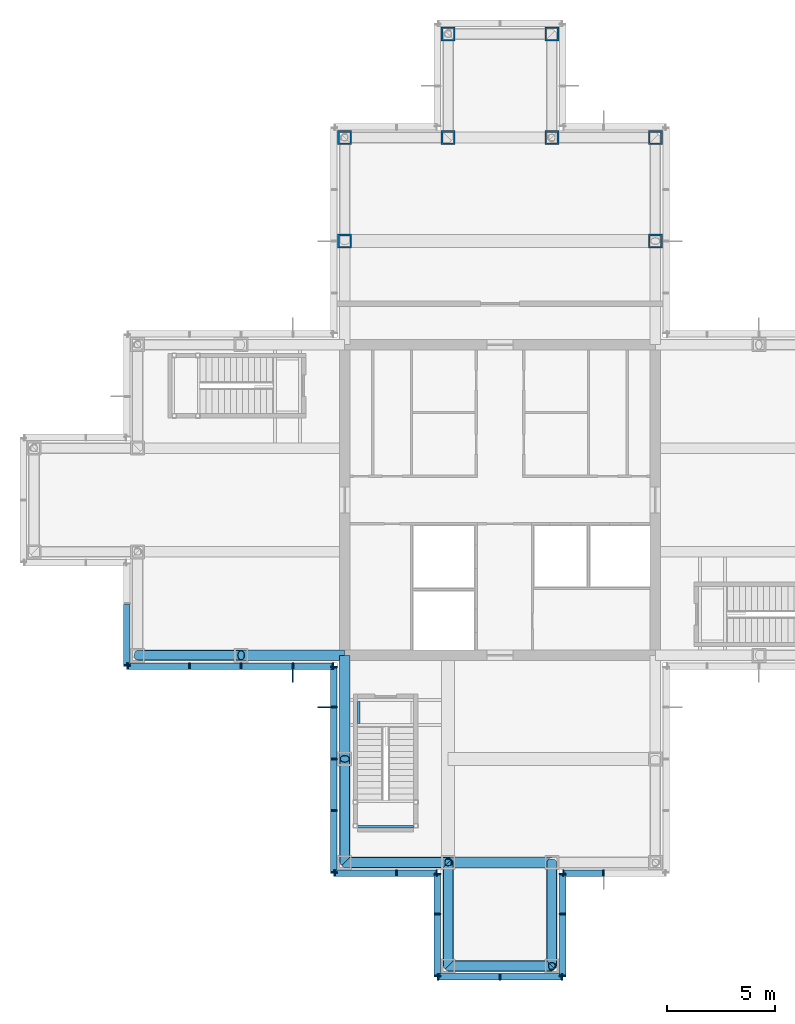
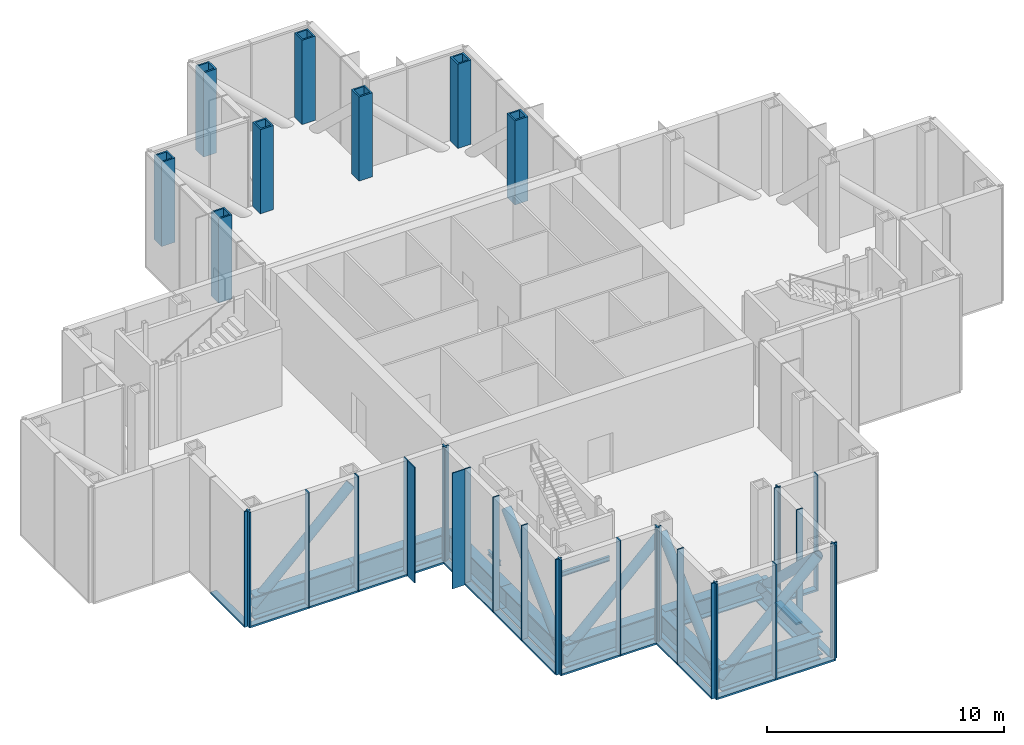
# One storey, part 5 of 13: 51 members, 11 beams, 8 columns, 8 elements without a shape of their own.
"""IFC4 building model written with IfcOpenShell, lengths in metres."""

from ifc_helpers import new_model, si_unit, direction, frame, origin, origin_2d, place, context, subcontext, project, spatial, rectangle, hollow_rectangle, hollow_circle, i_section, extrude, material, material_profile, profile_set, type_object, element, aggregate, save


model = new_model("IFC4")

# Units and contexts
model_context = context("Model", 3, precision=1e-05, world=origin(), true_north=direction((0.0, 1.0)))
body_context = subcontext(model_context, "Body", "Model", "MODEL_VIEW")
ifc_project = project(units=[si_unit("LENGTHUNIT", "METRE"), si_unit("AREAUNIT", "SQUARE_METRE"), si_unit("VOLUMEUNIT", "CUBIC_METRE"), si_unit("PLANEANGLEUNIT", "RADIAN"), si_unit("MASSUNIT", "GRAM", prefix="KILO")], contexts=[model_context])

# Site, building, storey
site_placement = place(None, origin())
site = spatial("IfcSite", under=ifc_project, at=site_placement, CompositionType="ELEMENT")
building_placement = place(site_placement, origin())
building = spatial("IfcBuilding", under=site, at=building_placement, Name="Kvirike Care Tower", CompositionType="ELEMENT")
storey_placement = place(building_placement, frame((0.0, 0.0, 190.0)))
storey = spatial("IfcBuildingStorey", under=building, at=storey_placement, Name="L52", CompositionType="ELEMENT", Elevation=190.0)

# Columns
ifc_material_1 = material(Name="Steel S460", Category="steel")
ifc_material_profile_1 = material_profile(ifc_material_1, hollow_rectangle(XDim=0.64990234375, YDim=0.64990234375, WallThickness=0.080078125, at=origin_2d()), Name="BX 650x650x80")
ifc_profile_set_1 = profile_set([ifc_material_profile_1], Name="Steel S460")
column_type = type_object("IfcColumnType", Name="COLUMN BX 650x650x80", PredefinedType="COLUMN", material=ifc_profile_set_1)
for number, where, z_axis, x_axis, name in (
    (1, (14.39990234375, 48.0, 0.0), (0.0, 0.0, 1.0), (1.0, 0.0, 0.0), "Column L6 L52"),
    (2, (14.39990234375, 52.800048828125, 0.0), (0.0, 0.0, 1.0), (0.0, 1.0, 0.0), "Column M6 L52"),
    (3, (19.199951171875, 52.800048828125, 0.0), (0.0, 0.0, 1.0), (0.0, 1.0, 0.0), "Column M7 L52"),
    (4, (19.199951171875, 57.60009765625, 0.0), (0.0, 0.0, 1.0), (0.0, 1.0, 0.0), "Column N7 L52"),
    (5, (24.0, 52.800048828125, 0.0), (0.0, 0.0, 1.0), (0.0, 1.0, 0.0), "Column M8 L52"),
    (6, (24.0, 57.60009765625, 0.0), (0.0, 0.0, 1.0), (0.0, 1.0, 0.0), "Column N8 L52"),
    (7, (28.800048828125, 48.0, 0.0), (0.0, 0.0, 1.0), (1.0, 0.0, 0.0), "Column L9 L52"),
    (8, (28.800048828125, 52.800048828125, 0.0), (0.0, 0.0, 1.0), (0.0, 1.0, 0.0), "Column M9 L52"),
):
    element("IfcColumn", number, at=place(storey_placement, frame(where, z_axis=z_axis, x_axis=x_axis)), inside=storey, type_object=column_type, Name=name, PredefinedType="COLUMN", context=body_context, shape_type="SweptSolid", body=[
        extrude(hollow_rectangle(XDim=0.64990234375, YDim=0.64990234375, WallThickness=0.080078125, at=origin_2d()), origin(), (0.0, 0.0, 1.0), 4.330078125),
    ])

# Members
ifc_material_2 = material(Name="Steel S355", Category="steel")
ifc_material_profile_2 = material_profile(ifc_material_2, hollow_circle(Radius=0.228515625, WallThickness=0.02490234375, at=origin_2d()), Name="CHS 457x25")
ifc_profile_set_2 = profile_set([ifc_material_profile_2], Name="Steel S355")
member_type_1 = type_object("IfcMemberType", Name="BELT TRUSS DIAGONAL CHS 457x25", PredefinedType="BRACE", material=ifc_profile_set_2)
for number, where, z_axis, x_axis, name in (
    (9, (4.800048828125, 28.800048828125, -0.85009765625), (0.723490032929, 0.0, 0.690334826191), (0.0, 1.0, 0.0), "Belt truss diagonal G4-G5 L52"),
    (10, (14.39990234375, 19.199951171875, -0.85009765625), (0.0, 0.723490032929, 0.690334826191), (-1.0, 0.0, 0.0), "Belt truss diagonal F6-E6 L52"),
    (11, (14.39990234375, 19.199951171875, -0.85009765625), (0.723490032929, 0.0, 0.690334826191), (0.0, 1.0, 0.0), "Belt truss diagonal E6-E7 L52"),
    (12, (19.199951171875, 14.39990234375, -0.85009765625), (0.0, 0.723490032929, 0.690334826191), (-1.0, 0.0, 0.0), "Belt truss diagonal E7-D7 L52"),
    (13, (19.199951171875, 14.39990234375, -0.85009765625), (0.723490032929, 0.0, 0.690334826191), (0.0, 1.0, 0.0), "Belt truss diagonal D7-D8 L52"),
    (14, (24.0, 19.199951171875, -0.85009765625), (0.0, -0.723490032929, 0.690334826191), (1.0, 0.0, 0.0), "Belt truss diagonal D8-E8 L52"),
):
    element("IfcMember", number, at=place(storey_placement, frame(where, z_axis=z_axis, x_axis=x_axis)), inside=storey, type_object=member_type_1, Name=name, PredefinedType="BRACE", context=body_context, shape_type="SweptSolid", body=[
        extrude(hollow_circle(Radius=0.228515625, WallThickness=0.02490234375, at=origin_2d()), origin(), (0.0, 0.0, 1.0), 6.634521484375),
    ])

# Curtain wall, member
ifc_material_3 = material(Name="Anodised aluminium stick system", Category="aluminium")
curtain_wall_type = type_object("IfcCurtainWallType", Name="CW-L LOUVRED PLANT SCREEN", PredefinedType="NOTDEFINED", material=ifc_material_3)
curtain_wall_1_placement = place(storey_placement, origin())
curtain_wall_1 = element("IfcCurtainWall", 15, at=curtain_wall_1_placement, inside=storey, type_object=curtain_wall_type, Name="Curtain wall L52 face 21", PredefinedType="NOTDEFINED")
ifc_material_4 = material(Name="Bronze anodised aluminium fin", Category="aluminium")
ifc_material_profile_3 = material_profile(ifc_material_4, rectangle(XDim=0.050048828125, YDim=0.60009765625, at=origin_2d()), Name="BRONZE FIN 600")
ifc_profile_set_3 = profile_set([ifc_material_profile_3], Name="Bronze anodised aluminium fin")
member_type_2 = type_object("IfcMemberType", Name="BRONZE FIN 600", PredefinedType="USERDEFINED", material=ifc_profile_set_3)
member_1_placement = place(storey_placement, frame((12.0, 27.85009765625, -1.449951171875), z_axis=(0.0, 0.0, 1.0), x_axis=(1.0, 0.0, 0.0)))
member_1 = element("IfcMember", 16, at=member_1_placement, type_object=member_type_2, Name="Bronze fin L52 face 21.4", ObjectType="FIN", PredefinedType="USERDEFINED", context=body_context, shape_type="SweptSolid", body=[
    extrude(rectangle(XDim=0.050048828125, YDim=0.60009765625, at=origin_2d()), origin(), (0.0, 0.0, 1.0), 5.949951171875),
])

curtain_wall_2_placement = place(storey_placement, origin())
curtain_wall_2 = element("IfcCurtainWall", 17, at=curtain_wall_2_placement, inside=storey, type_object=curtain_wall_type, Name="Curtain wall L52 face 22", PredefinedType="NOTDEFINED")
member_2_placement = place(storey_placement, frame((13.449951171875, 26.39990234375, -1.449951171875), z_axis=(0.0, 0.0, 1.0), x_axis=(0.0, -1.0, 0.0)))
member_2 = element("IfcMember", 18, at=member_2_placement, type_object=member_type_2, Name="Bronze fin L52 face 22.2", ObjectType="FIN", PredefinedType="USERDEFINED", context=body_context, shape_type="SweptSolid", body=[
    extrude(rectangle(XDim=0.050048828125, YDim=0.60009765625, at=origin_2d()), origin(), (0.0, 0.0, 1.0), 5.949951171875),
])

curtain_wall_3_placement = place(storey_placement, origin())
curtain_wall_3 = element("IfcCurtainWall", 19, at=curtain_wall_3_placement, inside=storey, type_object=curtain_wall_type, Name="Curtain wall L52 face 20", PredefinedType="NOTDEFINED")
ifc_material_5 = material(Name="Bronze anodised aluminium mullion", Category="aluminium")
ifc_material_profile_4 = material_profile(ifc_material_5, rectangle(XDim=0.06494140625, YDim=0.300048828125, at=origin_2d()), Name="CW-L MULLION 65x300")
ifc_profile_set_4 = profile_set([ifc_material_profile_4], Name="Bronze anodised aluminium mullion")
member_type_3 = type_object("IfcMemberType", Name="CW-L MULLION 65x300", PredefinedType="MULLION", material=ifc_profile_set_4)
member_3_placement = place(storey_placement, frame((4.300048828125, 28.33251953125, -1.449951171875), z_axis=(0.0, 0.0, 1.0), x_axis=(0.0, -1.0, 0.0)))
member_3 = element("IfcMember", 20, at=member_3_placement, type_object=member_type_3, Name="CW-L mullion L52 face 20.3", PredefinedType="MULLION", context=body_context, shape_type="SweptSolid", body=[
    extrude(rectangle(XDim=0.06494140625, YDim=0.300048828125, at=origin_2d()), origin(), (0.0, 0.0, 1.0), 5.949951171875),
])

# Member
member_4_placement = place(storey_placement, frame((4.33251953125, 28.300048828125, -1.449951171875), z_axis=(0.0, 0.0, 1.0), x_axis=(1.0, 0.0, 0.0)))
member_4 = element("IfcMember", 21, at=member_4_placement, type_object=member_type_3, Name="CW-L mullion L52 face 21.1", PredefinedType="MULLION", context=body_context, shape_type="SweptSolid", body=[
    extrude(rectangle(XDim=0.06494140625, YDim=0.300048828125, at=origin_2d()), origin(), (0.0, 0.0, 1.0), 5.949951171875),
])

member_5_placement = place(storey_placement, frame((7.199951171875, 28.300048828125, -1.449951171875), z_axis=(0.0, 0.0, 1.0), x_axis=(1.0, 0.0, 0.0)))
member_5 = element("IfcMember", 22, at=member_5_placement, type_object=member_type_3, Name="CW-L mullion L52 face 21.2", PredefinedType="MULLION", context=body_context, shape_type="SweptSolid", body=[
    extrude(rectangle(XDim=0.06494140625, YDim=0.300048828125, at=origin_2d()), origin(), (0.0, 0.0, 1.0), 5.949951171875),
])

member_6_placement = place(storey_placement, frame((9.60009765625, 28.300048828125, -1.449951171875), z_axis=(0.0, 0.0, 1.0), x_axis=(1.0, 0.0, 0.0)))
member_6 = element("IfcMember", 23, at=member_6_placement, type_object=member_type_3, Name="CW-L mullion L52 face 21.3", PredefinedType="MULLION", context=body_context, shape_type="SweptSolid", body=[
    extrude(rectangle(XDim=0.06494140625, YDim=0.300048828125, at=origin_2d()), origin(), (0.0, 0.0, 1.0), 5.949951171875),
])

member_7_placement = place(storey_placement, frame((12.0, 28.300048828125, -1.449951171875), z_axis=(0.0, 0.0, 1.0), x_axis=(1.0, 0.0, 0.0)))
member_7 = element("IfcMember", 24, at=member_7_placement, type_object=member_type_3, Name="CW-L mullion L52 face 21.4", PredefinedType="MULLION", context=body_context, shape_type="SweptSolid", body=[
    extrude(rectangle(XDim=0.06494140625, YDim=0.300048828125, at=origin_2d()), origin(), (0.0, 0.0, 1.0), 5.949951171875),
])

member_8_placement = place(storey_placement, frame((13.867431640625, 28.300048828125, -1.449951171875), z_axis=(0.0, 0.0, 1.0), x_axis=(1.0, 0.0, 0.0)))
member_8 = element("IfcMember", 25, at=member_8_placement, type_object=member_type_3, Name="CW-L mullion L52 face 21.5", PredefinedType="MULLION", context=body_context, shape_type="SweptSolid", body=[
    extrude(rectangle(XDim=0.06494140625, YDim=0.300048828125, at=origin_2d()), origin(), (0.0, 0.0, 1.0), 5.949951171875),
])

member_9_placement = place(storey_placement, frame((13.89990234375, 28.267578125, -1.449951171875), z_axis=(0.0, 0.0, 1.0), x_axis=(0.0, -1.0, 0.0)))
member_9 = element("IfcMember", 26, at=member_9_placement, type_object=member_type_3, Name="CW-L mullion L52 face 22.1", PredefinedType="MULLION", context=body_context, shape_type="SweptSolid", body=[
    extrude(rectangle(XDim=0.06494140625, YDim=0.300048828125, at=origin_2d()), origin(), (0.0, 0.0, 1.0), 5.949951171875),
])

member_10_placement = place(storey_placement, frame((13.89990234375, 26.39990234375, -1.449951171875), z_axis=(0.0, 0.0, 1.0), x_axis=(0.0, -1.0, 0.0)))
member_10 = element("IfcMember", 27, at=member_10_placement, type_object=member_type_3, Name="CW-L mullion L52 face 22.2", PredefinedType="MULLION", context=body_context, shape_type="SweptSolid", body=[
    extrude(rectangle(XDim=0.06494140625, YDim=0.300048828125, at=origin_2d()), origin(), (0.0, 0.0, 1.0), 5.949951171875),
])

member_11_placement = place(storey_placement, frame((13.89990234375, 24.0, -1.449951171875), z_axis=(0.0, 0.0, 1.0), x_axis=(0.0, -1.0, 0.0)))
member_11 = element("IfcMember", 28, at=member_11_placement, type_object=member_type_3, Name="CW-L mullion L52 face 22.3", PredefinedType="MULLION", context=body_context, shape_type="SweptSolid", body=[
    extrude(rectangle(XDim=0.06494140625, YDim=0.300048828125, at=origin_2d()), origin(), (0.0, 0.0, 1.0), 5.949951171875),
])

member_12_placement = place(storey_placement, frame((13.89990234375, 21.60009765625, -1.449951171875), z_axis=(0.0, 0.0, 1.0), x_axis=(0.0, -1.0, 0.0)))
member_12 = element("IfcMember", 29, at=member_12_placement, type_object=member_type_3, Name="CW-L mullion L52 face 22.4", PredefinedType="MULLION", context=body_context, shape_type="SweptSolid", body=[
    extrude(rectangle(XDim=0.06494140625, YDim=0.300048828125, at=origin_2d()), origin(), (0.0, 0.0, 1.0), 5.949951171875),
])

member_13_placement = place(storey_placement, frame((13.89990234375, 18.732421875, -1.449951171875), z_axis=(0.0, 0.0, 1.0), x_axis=(0.0, -1.0, 0.0)))
member_13 = element("IfcMember", 30, at=member_13_placement, type_object=member_type_3, Name="CW-L mullion L52 face 22.5", PredefinedType="MULLION", context=body_context, shape_type="SweptSolid", body=[
    extrude(rectangle(XDim=0.06494140625, YDim=0.300048828125, at=origin_2d()), origin(), (0.0, 0.0, 1.0), 5.949951171875),
])

# Curtain wall, members
curtain_wall_4_placement = place(storey_placement, origin())
curtain_wall_4 = element("IfcCurtainWall", 31, at=curtain_wall_4_placement, inside=storey, type_object=curtain_wall_type, Name="Curtain wall L52 face 23", PredefinedType="NOTDEFINED")
member_14_placement = place(storey_placement, frame((13.9326171875, 18.699951171875, -1.449951171875), z_axis=(0.0, 0.0, 1.0), x_axis=(1.0, 0.0, 0.0)))
member_14 = element("IfcMember", 32, at=member_14_placement, type_object=member_type_3, Name="CW-L mullion L52 face 23.1", PredefinedType="MULLION", context=body_context, shape_type="SweptSolid", body=[
    extrude(rectangle(XDim=0.06494140625, YDim=0.300048828125, at=origin_2d()), origin(), (0.0, 0.0, 1.0), 5.949951171875),
])
member_15_placement = place(storey_placement, frame((16.800048828125, 18.699951171875, -1.449951171875), z_axis=(0.0, 0.0, 1.0), x_axis=(1.0, 0.0, 0.0)))
member_15 = element("IfcMember", 33, at=member_15_placement, type_object=member_type_3, Name="CW-L mullion L52 face 23.2", PredefinedType="MULLION", context=body_context, shape_type="SweptSolid", body=[
    extrude(rectangle(XDim=0.06494140625, YDim=0.300048828125, at=origin_2d()), origin(), (0.0, 0.0, 1.0), 5.949951171875),
])
member_16_placement = place(storey_placement, frame((18.66748046875, 18.699951171875, -1.449951171875), z_axis=(0.0, 0.0, 1.0), x_axis=(1.0, 0.0, 0.0)))
member_16 = element("IfcMember", 34, at=member_16_placement, type_object=member_type_3, Name="CW-L mullion L52 face 23.3", PredefinedType="MULLION", context=body_context, shape_type="SweptSolid", body=[
    extrude(rectangle(XDim=0.06494140625, YDim=0.300048828125, at=origin_2d()), origin(), (0.0, 0.0, 1.0), 5.949951171875),
])

curtain_wall_5_placement = place(storey_placement, origin())
curtain_wall_5 = element("IfcCurtainWall", 35, at=curtain_wall_5_placement, inside=storey, type_object=curtain_wall_type, Name="Curtain wall L52 face 24", PredefinedType="NOTDEFINED")
member_17_placement = place(storey_placement, frame((18.699951171875, 18.66748046875, -1.449951171875), z_axis=(0.0, 0.0, 1.0), x_axis=(0.0, -1.0, 0.0)))
member_17 = element("IfcMember", 36, at=member_17_placement, type_object=member_type_3, Name="CW-L mullion L52 face 24.1", PredefinedType="MULLION", context=body_context, shape_type="SweptSolid", body=[
    extrude(rectangle(XDim=0.06494140625, YDim=0.300048828125, at=origin_2d()), origin(), (0.0, 0.0, 1.0), 5.949951171875),
])
member_18_placement = place(storey_placement, frame((18.699951171875, 16.800048828125, -1.449951171875), z_axis=(0.0, 0.0, 1.0), x_axis=(0.0, -1.0, 0.0)))
member_18 = element("IfcMember", 37, at=member_18_placement, type_object=member_type_3, Name="CW-L mullion L52 face 24.2", PredefinedType="MULLION", context=body_context, shape_type="SweptSolid", body=[
    extrude(rectangle(XDim=0.06494140625, YDim=0.300048828125, at=origin_2d()), origin(), (0.0, 0.0, 1.0), 5.949951171875),
])
member_19_placement = place(storey_placement, frame((18.699951171875, 13.9326171875, -1.449951171875), z_axis=(0.0, 0.0, 1.0), x_axis=(0.0, -1.0, 0.0)))
member_19 = element("IfcMember", 38, at=member_19_placement, type_object=member_type_3, Name="CW-L mullion L52 face 24.3", PredefinedType="MULLION", context=body_context, shape_type="SweptSolid", body=[
    extrude(rectangle(XDim=0.06494140625, YDim=0.300048828125, at=origin_2d()), origin(), (0.0, 0.0, 1.0), 5.949951171875),
])

curtain_wall_6_placement = place(storey_placement, origin())
curtain_wall_6 = element("IfcCurtainWall", 39, at=curtain_wall_6_placement, inside=storey, type_object=curtain_wall_type, Name="Curtain wall L52 face 25", PredefinedType="NOTDEFINED")
member_20_placement = place(storey_placement, frame((18.732421875, 13.89990234375, -1.449951171875), z_axis=(0.0, 0.0, 1.0), x_axis=(1.0, 0.0, 0.0)))
member_20 = element("IfcMember", 40, at=member_20_placement, type_object=member_type_3, Name="CW-L mullion L52 face 25.1", PredefinedType="MULLION", context=body_context, shape_type="SweptSolid", body=[
    extrude(rectangle(XDim=0.06494140625, YDim=0.300048828125, at=origin_2d()), origin(), (0.0, 0.0, 1.0), 5.949951171875),
])
member_21_placement = place(storey_placement, frame((21.60009765625, 13.89990234375, -1.449951171875), z_axis=(0.0, 0.0, 1.0), x_axis=(1.0, 0.0, 0.0)))
member_21 = element("IfcMember", 41, at=member_21_placement, type_object=member_type_3, Name="CW-L mullion L52 face 25.2", PredefinedType="MULLION", context=body_context, shape_type="SweptSolid", body=[
    extrude(rectangle(XDim=0.06494140625, YDim=0.300048828125, at=origin_2d()), origin(), (0.0, 0.0, 1.0), 5.949951171875),
])
member_22_placement = place(storey_placement, frame((24.467529296875, 13.89990234375, -1.449951171875), z_axis=(0.0, 0.0, 1.0), x_axis=(1.0, 0.0, 0.0)))
member_22 = element("IfcMember", 42, at=member_22_placement, type_object=member_type_3, Name="CW-L mullion L52 face 25.3", PredefinedType="MULLION", context=body_context, shape_type="SweptSolid", body=[
    extrude(rectangle(XDim=0.06494140625, YDim=0.300048828125, at=origin_2d()), origin(), (0.0, 0.0, 1.0), 5.949951171875),
])

curtain_wall_7_placement = place(storey_placement, origin())
curtain_wall_7 = element("IfcCurtainWall", 43, at=curtain_wall_7_placement, inside=storey, type_object=curtain_wall_type, Name="Curtain wall L52 face 26", PredefinedType="NOTDEFINED")
member_23_placement = place(storey_placement, frame((24.5, 13.9326171875, -1.449951171875), z_axis=(0.0, 0.0, 1.0), x_axis=(0.0, 1.0, 0.0)))
member_23 = element("IfcMember", 44, at=member_23_placement, type_object=member_type_3, Name="CW-L mullion L52 face 26.1", PredefinedType="MULLION", context=body_context, shape_type="SweptSolid", body=[
    extrude(rectangle(XDim=0.06494140625, YDim=0.300048828125, at=origin_2d()), origin(), (0.0, 0.0, 1.0), 5.949951171875),
])
member_24_placement = place(storey_placement, frame((24.5, 16.800048828125, -1.449951171875), z_axis=(0.0, 0.0, 1.0), x_axis=(0.0, 1.0, 0.0)))
member_24 = element("IfcMember", 45, at=member_24_placement, type_object=member_type_3, Name="CW-L mullion L52 face 26.2", PredefinedType="MULLION", context=body_context, shape_type="SweptSolid", body=[
    extrude(rectangle(XDim=0.06494140625, YDim=0.300048828125, at=origin_2d()), origin(), (0.0, 0.0, 1.0), 5.949951171875),
])
member_25_placement = place(storey_placement, frame((24.5, 18.66748046875, -1.449951171875), z_axis=(0.0, 0.0, 1.0), x_axis=(0.0, 1.0, 0.0)))
member_25 = element("IfcMember", 46, at=member_25_placement, type_object=member_type_3, Name="CW-L mullion L52 face 26.3", PredefinedType="MULLION", context=body_context, shape_type="SweptSolid", body=[
    extrude(rectangle(XDim=0.06494140625, YDim=0.300048828125, at=origin_2d()), origin(), (0.0, 0.0, 1.0), 5.949951171875),
])

curtain_wall_8_placement = place(storey_placement, origin())
curtain_wall_8 = element("IfcCurtainWall", 47, at=curtain_wall_8_placement, inside=storey, type_object=curtain_wall_type, Name="Curtain wall L52 face 27", PredefinedType="NOTDEFINED")
member_26_placement = place(storey_placement, frame((24.532470703125, 18.699951171875, -1.449951171875), z_axis=(0.0, 0.0, 1.0), x_axis=(1.0, 0.0, 0.0)))
member_26 = element("IfcMember", 48, at=member_26_placement, type_object=member_type_3, Name="CW-L mullion L52 face 27.1", PredefinedType="MULLION", context=body_context, shape_type="SweptSolid", body=[
    extrude(rectangle(XDim=0.06494140625, YDim=0.300048828125, at=origin_2d()), origin(), (0.0, 0.0, 1.0), 5.949951171875),
])
member_27_placement = place(storey_placement, frame((26.39990234375, 18.699951171875, -1.449951171875), z_axis=(0.0, 0.0, 1.0), x_axis=(1.0, 0.0, 0.0)))
member_27 = element("IfcMember", 49, at=member_27_placement, type_object=member_type_3, Name="CW-L mullion L52 face 27.2", PredefinedType="MULLION", context=body_context, shape_type="SweptSolid", body=[
    extrude(rectangle(XDim=0.06494140625, YDim=0.300048828125, at=origin_2d()), origin(), (0.0, 0.0, 1.0), 5.949951171875),
])

# Member
ifc_material_6 = material(Name="Bronze anodised aluminium transom", Category="aluminium")
ifc_material_profile_5 = material_profile(ifc_material_6, rectangle(XDim=0.300048828125, YDim=0.10009765625, at=origin_2d()), Name="CW-L TRANSOM 300x100")
ifc_profile_set_5 = profile_set([ifc_material_profile_5], Name="Bronze anodised aluminium transom")
member_type_4 = type_object("IfcMemberType", Name="CW-L TRANSOM 300x100", PredefinedType="USERDEFINED", material=ifc_profile_set_5)
member_28_placement = place(storey_placement, frame((4.300048828125, 31.16748046875, -1.39990234375), z_axis=(0.0, -1.0, 0.0), x_axis=(1.0, 0.0, 0.0)))
member_28 = element("IfcMember", 50, at=member_28_placement, type_object=member_type_4, Name="CW-L sill transom L52 face 20.2", ObjectType="TRANSOM", PredefinedType="USERDEFINED", context=body_context, shape_type="SweptSolid", body=[
    extrude(rectangle(XDim=0.300048828125, YDim=0.10009765625, at=origin_2d()), origin(), (0.0, 0.0, 1.0), 2.802490234375),
])

aggregate(curtain_wall_3, [member_3, member_28])

member_29_placement = place(storey_placement, frame((4.364990234375, 28.300048828125, -1.39990234375), z_axis=(1.0, 0.0, 0.0), x_axis=(0.0, 1.0, 0.0)))
member_29 = element("IfcMember", 51, at=member_29_placement, type_object=member_type_4, Name="CW-L sill transom L52 face 21.1", ObjectType="TRANSOM", PredefinedType="USERDEFINED", context=body_context, shape_type="SweptSolid", body=[
    extrude(rectangle(XDim=0.300048828125, YDim=0.10009765625, at=origin_2d()), origin(), (0.0, 0.0, 1.0), 2.802490234375),
])

member_30_placement = place(storey_placement, frame((7.232421875, 28.300048828125, -1.39990234375), z_axis=(1.0, 0.0, 0.0), x_axis=(0.0, 1.0, 0.0)))
member_30 = element("IfcMember", 52, at=member_30_placement, type_object=member_type_4, Name="CW-L sill transom L52 face 21.2", ObjectType="TRANSOM", PredefinedType="USERDEFINED", context=body_context, shape_type="SweptSolid", body=[
    extrude(rectangle(XDim=0.300048828125, YDim=0.10009765625, at=origin_2d()), origin(), (0.0, 0.0, 1.0), 2.3349609375),
])

member_31_placement = place(storey_placement, frame((9.632568359375, 28.300048828125, -1.39990234375), z_axis=(1.0, 0.0, 0.0), x_axis=(0.0, 1.0, 0.0)))
member_31 = element("IfcMember", 53, at=member_31_placement, type_object=member_type_4, Name="CW-L sill transom L52 face 21.3", ObjectType="TRANSOM", PredefinedType="USERDEFINED", context=body_context, shape_type="SweptSolid", body=[
    extrude(rectangle(XDim=0.300048828125, YDim=0.10009765625, at=origin_2d()), origin(), (0.0, 0.0, 1.0), 2.3349609375),
])

member_32_placement = place(storey_placement, frame((12.032470703125, 28.300048828125, -1.39990234375), z_axis=(1.0, 0.0, 0.0), x_axis=(0.0, 1.0, 0.0)))
member_32 = element("IfcMember", 54, at=member_32_placement, type_object=member_type_4, Name="CW-L sill transom L52 face 21.4", ObjectType="TRANSOM", PredefinedType="USERDEFINED", context=body_context, shape_type="SweptSolid", body=[
    extrude(rectangle(XDim=0.300048828125, YDim=0.10009765625, at=origin_2d()), origin(), (0.0, 0.0, 1.0), 1.802490234375),
])

aggregate(curtain_wall_1, [member_4, member_5, member_6, member_7, member_1, member_8, member_29, member_30, member_31, member_32])

member_33_placement = place(storey_placement, frame((13.89990234375, 28.235107421875, -1.39990234375), z_axis=(0.0, -1.0, 0.0), x_axis=(1.0, 0.0, 0.0)))
member_33 = element("IfcMember", 55, at=member_33_placement, type_object=member_type_4, Name="CW-L sill transom L52 face 22.1", ObjectType="TRANSOM", PredefinedType="USERDEFINED", context=body_context, shape_type="SweptSolid", body=[
    extrude(rectangle(XDim=0.300048828125, YDim=0.10009765625, at=origin_2d()), origin(), (0.0, 0.0, 1.0), 1.802490234375),
])

member_34_placement = place(storey_placement, frame((13.89990234375, 26.367431640625, -1.39990234375), z_axis=(0.0, -1.0, 0.0), x_axis=(1.0, 0.0, 0.0)))
member_34 = element("IfcMember", 56, at=member_34_placement, type_object=member_type_4, Name="CW-L sill transom L52 face 22.2", ObjectType="TRANSOM", PredefinedType="USERDEFINED", context=body_context, shape_type="SweptSolid", body=[
    extrude(rectangle(XDim=0.300048828125, YDim=0.10009765625, at=origin_2d()), origin(), (0.0, 0.0, 1.0), 2.3349609375),
])

member_35_placement = place(storey_placement, frame((13.89990234375, 23.967529296875, -1.39990234375), z_axis=(0.0, -1.0, 0.0), x_axis=(1.0, 0.0, 0.0)))
member_35 = element("IfcMember", 57, at=member_35_placement, type_object=member_type_4, Name="CW-L sill transom L52 face 22.3", ObjectType="TRANSOM", PredefinedType="USERDEFINED", context=body_context, shape_type="SweptSolid", body=[
    extrude(rectangle(XDim=0.300048828125, YDim=0.10009765625, at=origin_2d()), origin(), (0.0, 0.0, 1.0), 2.3349609375),
])

member_36_placement = place(storey_placement, frame((13.89990234375, 21.5673828125, -1.39990234375), z_axis=(0.0, -1.0, 0.0), x_axis=(1.0, 0.0, 0.0)))
member_36 = element("IfcMember", 58, at=member_36_placement, type_object=member_type_4, Name="CW-L sill transom L52 face 22.4", ObjectType="TRANSOM", PredefinedType="USERDEFINED", context=body_context, shape_type="SweptSolid", body=[
    extrude(rectangle(XDim=0.300048828125, YDim=0.10009765625, at=origin_2d()), origin(), (0.0, 0.0, 1.0), 2.802490234375),
])

aggregate(curtain_wall_2, [member_9, member_10, member_2, member_11, member_12, member_13, member_33, member_34, member_35, member_36])

member_37_placement = place(storey_placement, frame((13.965087890625, 18.699951171875, -1.39990234375), z_axis=(1.0, 0.0, 0.0), x_axis=(0.0, 1.0, 0.0)))
member_37 = element("IfcMember", 59, at=member_37_placement, type_object=member_type_4, Name="CW-L sill transom L52 face 23.1", ObjectType="TRANSOM", PredefinedType="USERDEFINED", context=body_context, shape_type="SweptSolid", body=[
    extrude(rectangle(XDim=0.300048828125, YDim=0.10009765625, at=origin_2d()), origin(), (0.0, 0.0, 1.0), 2.802490234375),
])

member_38_placement = place(storey_placement, frame((16.83251953125, 18.699951171875, -1.39990234375), z_axis=(1.0, 0.0, 0.0), x_axis=(0.0, 1.0, 0.0)))
member_38 = element("IfcMember", 60, at=member_38_placement, type_object=member_type_4, Name="CW-L sill transom L52 face 23.2", ObjectType="TRANSOM", PredefinedType="USERDEFINED", context=body_context, shape_type="SweptSolid", body=[
    extrude(rectangle(XDim=0.300048828125, YDim=0.10009765625, at=origin_2d()), origin(), (0.0, 0.0, 1.0), 1.802490234375),
])

aggregate(curtain_wall_4, [member_14, member_15, member_16, member_37, member_38])

member_39_placement = place(storey_placement, frame((18.699951171875, 18.635009765625, -1.39990234375), z_axis=(0.0, -1.0, 0.0), x_axis=(1.0, 0.0, 0.0)))
member_39 = element("IfcMember", 61, at=member_39_placement, type_object=member_type_4, Name="CW-L sill transom L52 face 24.1", ObjectType="TRANSOM", PredefinedType="USERDEFINED", context=body_context, shape_type="SweptSolid", body=[
    extrude(rectangle(XDim=0.300048828125, YDim=0.10009765625, at=origin_2d()), origin(), (0.0, 0.0, 1.0), 1.802490234375),
])

member_40_placement = place(storey_placement, frame((18.699951171875, 16.767578125, -1.39990234375), z_axis=(0.0, -1.0, 0.0), x_axis=(1.0, 0.0, 0.0)))
member_40 = element("IfcMember", 62, at=member_40_placement, type_object=member_type_4, Name="CW-L sill transom L52 face 24.2", ObjectType="TRANSOM", PredefinedType="USERDEFINED", context=body_context, shape_type="SweptSolid", body=[
    extrude(rectangle(XDim=0.300048828125, YDim=0.10009765625, at=origin_2d()), origin(), (0.0, 0.0, 1.0), 2.802490234375),
])

aggregate(curtain_wall_5, [member_17, member_18, member_19, member_39, member_40])

member_41_placement = place(storey_placement, frame((18.764892578125, 13.89990234375, -1.39990234375), z_axis=(1.0, 0.0, 0.0), x_axis=(0.0, 1.0, 0.0)))
member_41 = element("IfcMember", 63, at=member_41_placement, type_object=member_type_4, Name="CW-L sill transom L52 face 25.1", ObjectType="TRANSOM", PredefinedType="USERDEFINED", context=body_context, shape_type="SweptSolid", body=[
    extrude(rectangle(XDim=0.300048828125, YDim=0.10009765625, at=origin_2d()), origin(), (0.0, 0.0, 1.0), 2.802490234375),
])

member_42_placement = place(storey_placement, frame((21.632568359375, 13.89990234375, -1.39990234375), z_axis=(1.0, 0.0, 0.0), x_axis=(0.0, 1.0, 0.0)))
member_42 = element("IfcMember", 64, at=member_42_placement, type_object=member_type_4, Name="CW-L sill transom L52 face 25.2", ObjectType="TRANSOM", PredefinedType="USERDEFINED", context=body_context, shape_type="SweptSolid", body=[
    extrude(rectangle(XDim=0.300048828125, YDim=0.10009765625, at=origin_2d()), origin(), (0.0, 0.0, 1.0), 2.802490234375),
])

aggregate(curtain_wall_6, [member_20, member_21, member_22, member_41, member_42])

member_43_placement = place(storey_placement, frame((24.5, 13.965087890625, -1.39990234375), z_axis=(0.0, 1.0, 0.0), x_axis=(-1.0, 0.0, 0.0)))
member_43 = element("IfcMember", 65, at=member_43_placement, type_object=member_type_4, Name="CW-L sill transom L52 face 26.1", ObjectType="TRANSOM", PredefinedType="USERDEFINED", context=body_context, shape_type="SweptSolid", body=[
    extrude(rectangle(XDim=0.300048828125, YDim=0.10009765625, at=origin_2d()), origin(), (0.0, 0.0, 1.0), 2.802490234375),
])

member_44_placement = place(storey_placement, frame((24.5, 16.83251953125, -1.39990234375), z_axis=(0.0, 1.0, 0.0), x_axis=(-1.0, 0.0, 0.0)))
member_44 = element("IfcMember", 66, at=member_44_placement, type_object=member_type_4, Name="CW-L sill transom L52 face 26.2", ObjectType="TRANSOM", PredefinedType="USERDEFINED", context=body_context, shape_type="SweptSolid", body=[
    extrude(rectangle(XDim=0.300048828125, YDim=0.10009765625, at=origin_2d()), origin(), (0.0, 0.0, 1.0), 1.802490234375),
])

aggregate(curtain_wall_7, [member_23, member_24, member_25, member_43, member_44])

member_45_placement = place(storey_placement, frame((24.56494140625, 18.699951171875, -1.39990234375), z_axis=(1.0, 0.0, 0.0), x_axis=(0.0, 1.0, 0.0)))
member_45 = element("IfcMember", 67, at=member_45_placement, type_object=member_type_4, Name="CW-L sill transom L52 face 27.1", ObjectType="TRANSOM", PredefinedType="USERDEFINED", context=body_context, shape_type="SweptSolid", body=[
    extrude(rectangle(XDim=0.300048828125, YDim=0.10009765625, at=origin_2d()), origin(), (0.0, 0.0, 1.0), 1.802490234375),
])

aggregate(curtain_wall_8, [member_26, member_27, member_45])

# Beams
ifc_material_7 = material(Name="Steel S355", Category="steel")
ifc_material_profile_6 = material_profile(ifc_material_7, i_section(OverallWidth=0.5, OverallDepth=1.0, WebThickness=0.030029296875, FlangeThickness=0.06005859375, at=origin_2d()), Name="PG 1000x500x30x60")
ifc_profile_set_6 = profile_set([ifc_material_profile_6], Name="Steel S355")
beam_type_1 = type_object("IfcBeamType", Name="PLANT FLOOR GIRDER PG 1000x500x30x60", PredefinedType="BEAM", material=ifc_profile_set_6)
beam_1_placement = place(storey_placement, frame((19.199951171875, 19.199951171875, -0.75), z_axis=(1.0, 0.0, 0.0), x_axis=(0.0, 1.0, 0.0)))
element("IfcBeam", 68, at=beam_1_placement, inside=storey, type_object=beam_type_1, Name="Plant Floor Girder E7-E8 L52", PredefinedType="BEAM", context=body_context, shape_type="SweptSolid", body=[
    extrude(i_section(OverallWidth=0.5, OverallDepth=1.0, WebThickness=0.030029296875, FlangeThickness=0.06005859375, at=origin_2d()), origin(), (0.0, 0.0, 1.0), 4.800048828125),
])
ifc_material_8 = material(Name="Steel S355", Category="steel")
ifc_material_profile_7 = material_profile(ifc_material_8, i_section(OverallWidth=0.5, OverallDepth=1.199951171875, WebThickness=0.030029296875, FlangeThickness=0.06005859375, at=origin_2d()), Name="PG 1200x500x30x60")
ifc_profile_set_7 = profile_set([ifc_material_profile_7], Name="Steel S355")
beam_type_2 = type_object("IfcBeamType", Name="SPANDREL PG 1200x500x30x60", PredefinedType="SPANDREL", material=ifc_profile_set_7)
for number, where, z_axis, x_axis, name in (
    (69, (19.199951171875, 14.39990234375, -0.85009765625), (1.0, 0.0, 0.0), (0.0, 1.0, 0.0), "Spandrel D7-D8 L52"),
    (70, (14.39990234375, 19.199951171875, -0.85009765625), (1.0, 0.0, 0.0), (0.0, 1.0, 0.0), "Spandrel E6-E7 L52"),
    (71, (4.800048828125, 28.800048828125, -0.85009765625), (1.0, 0.0, 0.0), (0.0, 1.0, 0.0), "Spandrel G4-G5 L52"),
):
    element("IfcBeam", number, at=place(storey_placement, frame(where, z_axis=z_axis, x_axis=x_axis)), inside=storey, type_object=beam_type_2, Name=name, PredefinedType="SPANDREL", context=body_context, shape_type="SweptSolid", body=[
        extrude(i_section(OverallWidth=0.5, OverallDepth=1.199951171875, WebThickness=0.030029296875, FlangeThickness=0.06005859375, at=origin_2d()), origin(), (0.0, 0.0, 1.0), 4.800048828125),
    ])
beam_2_placement = place(storey_placement, frame((9.60009765625, 28.800048828125, -0.85009765625), z_axis=(1.0, 0.0, 0.0), x_axis=(0.0, 1.0, 0.0)))
element("IfcBeam", 72, at=beam_2_placement, inside=storey, type_object=beam_type_2, Name="Spandrel G5-G6 L52", PredefinedType="SPANDREL", context=body_context, shape_type="SweptSolid", body=[
    extrude(i_section(OverallWidth=0.5, OverallDepth=1.199951171875, WebThickness=0.030029296875, FlangeThickness=0.06005859375, at=origin_2d()), origin(), (0.0, 0.0, 1.0), 4.7998046875),
])
for number, where, z_axis, x_axis, name in (
    (73, (14.39990234375, 19.199951171875, -0.85009765625), (0.0, 1.0, 0.0), (-1.0, 0.0, 0.0), "Spandrel E6-F6 L52"),
    (74, (14.39990234375, 24.0, -0.85009765625), (0.0, 1.0, 0.0), (-1.0, 0.0, 0.0), "Spandrel F6-G6 L52"),
    (75, (19.199951171875, 14.39990234375, -0.85009765625), (0.0, 1.0, 0.0), (-1.0, 0.0, 0.0), "Spandrel D7-E7 L52"),
    (76, (24.0, 14.39990234375, -0.85009765625), (0.0, 1.0, 0.0), (-1.0, 0.0, 0.0), "Spandrel D8-E8 L52"),
):
    element("IfcBeam", number, at=place(storey_placement, frame(where, z_axis=z_axis, x_axis=x_axis)), inside=storey, type_object=beam_type_2, Name=name, PredefinedType="SPANDREL", context=body_context, shape_type="SweptSolid", body=[
        extrude(i_section(OverallWidth=0.5, OverallDepth=1.199951171875, WebThickness=0.030029296875, FlangeThickness=0.06005859375, at=origin_2d()), origin(), (0.0, 0.0, 1.0), 4.800048828125),
    ])
ifc_material_9 = material(Name="Steel S355", Category="steel")
ifc_material_profile_8 = material_profile(ifc_material_9, i_section(OverallWidth=0.1201171875, OverallDepth=0.239990234375, WebThickness=0.006103515625, FlangeThickness=0.009765625, FilletRadius=0.014892578125, at=origin_2d()), Name="IPE 240")
ifc_profile_set_8 = profile_set([ifc_material_profile_8], Name="Steel S355")
beam_type_3 = type_object("IfcBeamType", Name="STAIR LANDING BEAM IPE 240", PredefinedType="BEAM", material=ifc_profile_set_8)
beam_3_placement = place(storey_placement, frame((15.0, 20.860107421875, 1.929931640625), z_axis=(1.0, 0.0, 0.0), x_axis=(0.0, 1.0, 0.0)))
element("IfcBeam", 77, at=beam_3_placement, inside=storey, type_object=beam_type_3, Name="Stair 5 landing beam back L52", PredefinedType="BEAM", context=body_context, shape_type="SweptSolid", body=[
    extrude(i_section(OverallWidth=0.1201171875, OverallDepth=0.239990234375, WebThickness=0.006103515625, FlangeThickness=0.009765625, FilletRadius=0.014892578125, at=origin_2d()), origin(), (0.0, 0.0, 1.0), 2.60009765625),
])
beam_4_placement = place(storey_placement, frame((15.06005859375, 25.64990234375, -0.3701171875), z_axis=(0.0, 1.0, 0.0), x_axis=(-1.0, 0.0, 0.0)))
element("IfcBeam", 78, at=beam_4_placement, inside=storey, type_object=beam_type_3, Name="Stair 5 landing edge beam 1 L52", PredefinedType="BEAM", context=body_context, shape_type="SweptSolid", body=[
    extrude(i_section(OverallWidth=0.1201171875, OverallDepth=0.239990234375, WebThickness=0.006103515625, FlangeThickness=0.009765625, FilletRadius=0.014892578125, at=origin_2d()), origin(), (0.0, 0.0, 1.0), 1.0),
])

save(model, "model.ifc")
